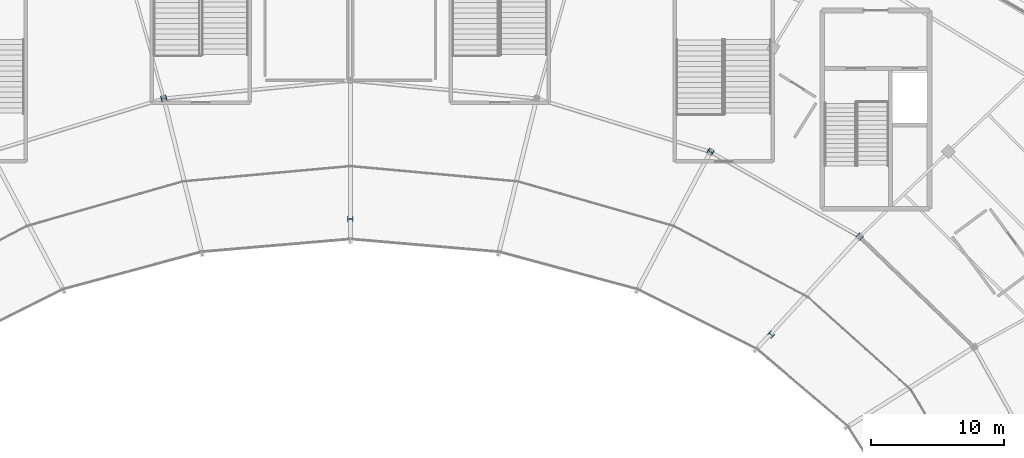
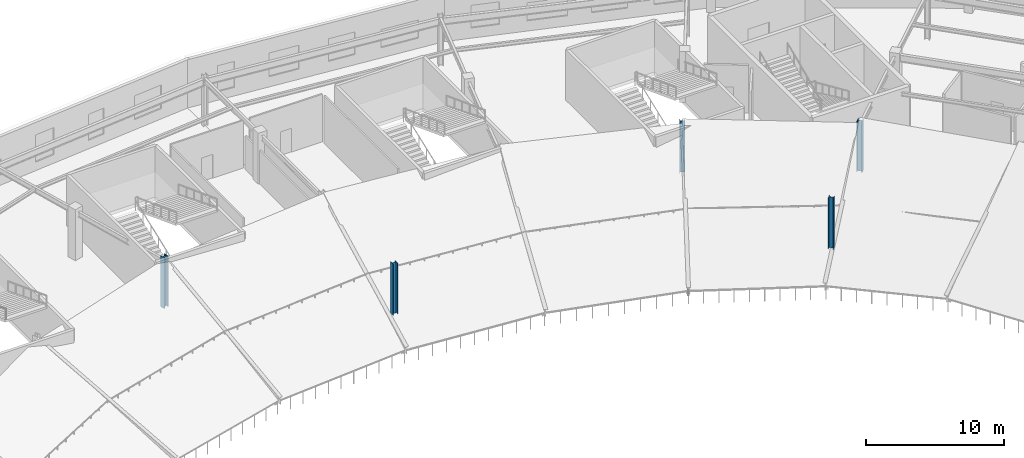
# One storey, part 8 of 63: 5 columns.
"""IFC4 building model written with IfcOpenShell, lengths in metres."""

from ifc_helpers import new_model, si_unit, direction, frame, origin, origin_2d, place, context, subcontext, project, spatial, i_section, extrude, material, material_profile, profile_set, type_object, element, save


model = new_model("IFC4")

# Units and contexts
model_context = context("Model", 3, precision=1e-05, world=origin(), true_north=direction((0.0, 1.0)))
body_context = subcontext(model_context, "Body", "Model", "MODEL_VIEW")
ifc_project = project(units=[si_unit("LENGTHUNIT", "METRE"), si_unit("AREAUNIT", "SQUARE_METRE"), si_unit("VOLUMEUNIT", "CUBIC_METRE"), si_unit("PLANEANGLEUNIT", "RADIAN"), si_unit("MASSUNIT", "GRAM", prefix="KILO")], contexts=[model_context])

# Site, building, storey
site_placement = place(None, origin())
site = spatial("IfcSite", under=ifc_project, at=site_placement, CompositionType="ELEMENT")
building_placement = place(site_placement, origin())
building = spatial("IfcBuilding", under=site, at=building_placement, Name="Kalgoora Escarpment Arena", CompositionType="ELEMENT")
storey_placement = place(building_placement, frame((0.0, 0.0, 14.39990234375)))
storey = spatial("IfcBuildingStorey", under=building, at=storey_placement, Name="L03", CompositionType="ELEMENT", Elevation=14.39990234375)

# Columns
ifc_material = material(Name="Structural steel Grade 350 (350 MPa)", Category="steel")
ifc_material_profile = material_profile(ifc_material, i_section(OverallWidth=0.39990234375, OverallDepth=0.39990234375, WebThickness=0.01611328125, FlangeThickness=0.028076171875, at=origin_2d()))
ifc_profile_set = profile_set([ifc_material_profile], Name="Structural steel Grade 350 (350 MPa)")
column_type = type_object("IfcColumnType", Name="COL-COL-400WC212", PredefinedType="COLUMN", material=ifc_profile_set)
for number, where, z_axis, x_axis, name in (
    (1, (130.583740234375, 92.2841796875, 0.0), (0.0, 0.0, 1.0), (0.707106781187, 0.707106781187, 0.0), "L03 structural column COL-RMAIN-R04"),
    (2, (119.39990234375, 98.64111328125, 0.0), (0.0, 0.0, 1.0), (0.5, 0.866025403784, 0.0), "L03 structural column COL-RMAIN-R05"),
    (3, (78.423828125, 102.636962890625, 0.0), (0.0, 0.0, 1.0), (-0.258819045103, 0.965925826289, 0.0), "L03 structural column COL-RMAIN-R08"),
    (4, (123.93701171875, 84.930419921875, 0.0), (0.0, 0.0, 1.0), (0.707106781187, 0.707106781187, 0.0), "L03 structural column COL-TSPINE-S02"),
    (5, (92.39990234375, 93.60009765625, 0.0), (0.0, 0.0, 1.0), (0.0, 1.0, 0.0), "L03 structural column COL-TSPINE-S03"),
):
    element("IfcColumn", number, at=place(storey_placement, frame(where, z_axis=z_axis, x_axis=x_axis)), inside=storey, type_object=column_type, Name=name, PredefinedType="COLUMN", context=body_context, shape_type="SweptSolid", body=[
        extrude(i_section(OverallWidth=0.39990234375, OverallDepth=0.39990234375, WebThickness=0.01611328125, FlangeThickness=0.028076171875, at=origin_2d()), origin(), (0.0, 0.0, 1.0), 4.5),
    ])

save(model, "model.ifc")
